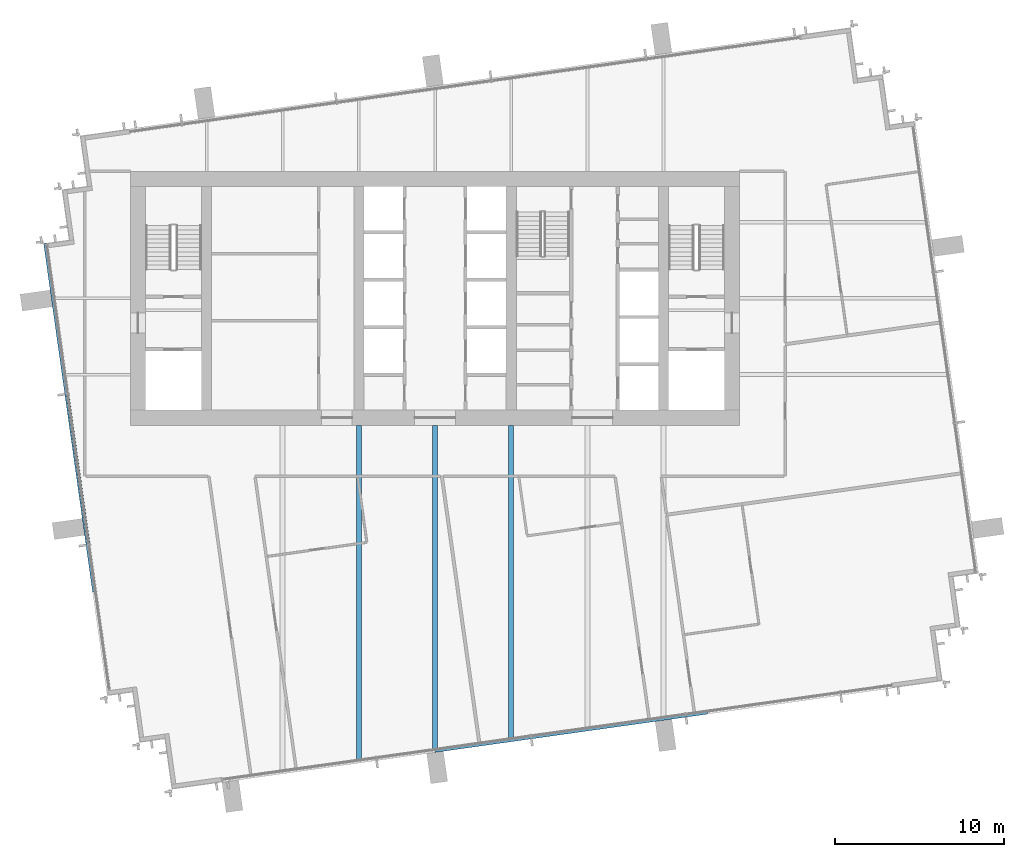
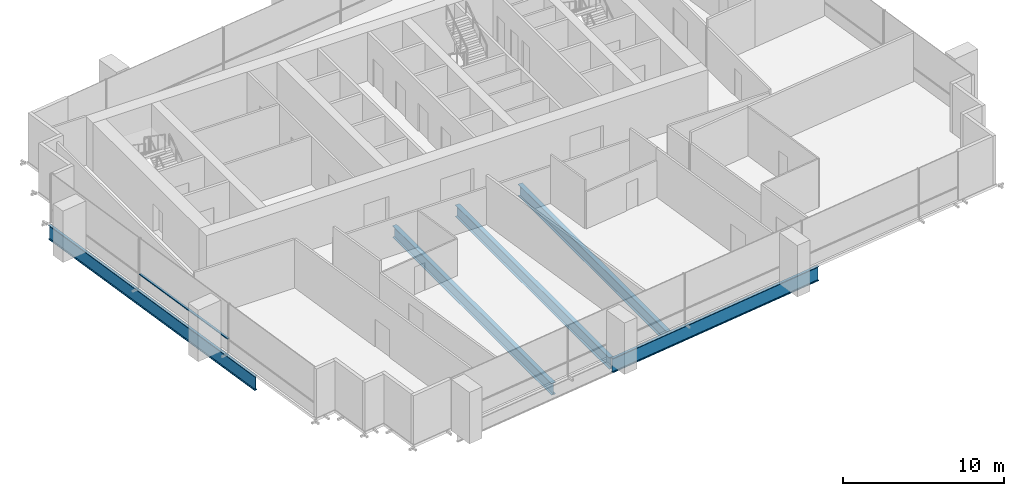
# One storey, part 3 of 13: 5 beams, 1 member, 1 element without a shape of its own.
"""IFC4 building model written with IfcOpenShell, lengths in metres."""

from ifc_helpers import new_model, si_unit, direction, frame, origin, origin_2d, place, context, subcontext, project, spatial, rectangle, i_section, extrude, material, layer, layer_set, material_profile, profile_set, type_object, element, aggregate, save


model = new_model("IFC4")

# Units and contexts
model_context = context("Model", 3, precision=1e-05, world=origin(), true_north=direction((0.0, 1.0)))
body_context = subcontext(model_context, "Body", "Model", "MODEL_VIEW")
ifc_project = project(units=[si_unit("LENGTHUNIT", "METRE"), si_unit("AREAUNIT", "SQUARE_METRE"), si_unit("VOLUMEUNIT", "CUBIC_METRE"), si_unit("PLANEANGLEUNIT", "RADIAN"), si_unit("MASSUNIT", "GRAM", prefix="KILO")], contexts=[model_context])

# Site, building, storey
site_placement = place(None, origin())
site = spatial("IfcSite", under=ifc_project, at=site_placement, CompositionType="ELEMENT")
building_placement = place(site_placement, origin())
building = spatial("IfcBuilding", under=site, at=building_placement, Name="Rattan Terrace Tower", CompositionType="ELEMENT")
storey_placement = place(building_placement, frame((0.0, 0.0, 240.800048828125)))
storey = spatial("IfcBuildingStorey", under=building, at=storey_placement, Name="L55", CompositionType="ELEMENT", Elevation=240.800048828125)

# Beams
ifc_material_1 = material(Name="Steel S460", Category="steel")
ifc_material_profile_1 = material_profile(ifc_material_1, i_section(OverallWidth=0.179931640625, OverallDepth=1.10009765625, WebThickness=0.01611328125, FlangeThickness=0.050048828125, at=origin_2d()), Name="PG 1100x180-16-50")
ifc_profile_set_1 = profile_set([ifc_material_profile_1], Name="Steel S460")
beam_type_1 = type_object("IfcBeamType", Name="Frame edge girder PG 1100x180-16-50", PredefinedType="SPANDREL", material=ifc_profile_set_1)
beam_1_placement = place(storey_placement, frame((16.0859375, -24.472900390625, -0.75), z_axis=(-0.990262693422, -0.139211342989, 0.0), x_axis=(0.139211342989, -0.990262693422, 0.0)))
element("IfcBeam", 1, at=beam_1_placement, inside=storey, type_object=beam_type_1, Name="gdr-L55-002", PredefinedType="SPANDREL", context=body_context, shape_type="SweptSolid", body=[
    extrude(i_section(OverallWidth=0.179931640625, OverallDepth=1.10009765625, WebThickness=0.01611328125, FlangeThickness=0.050048828125, at=origin_2d()), origin(), (0.0, 0.0, 1.0), 16.257080078125),
])
beam_2_placement = place(storey_placement, frame((-20.14111328125, -17.347900390625, -0.75), z_axis=(-0.139141602152, 0.9902724951, 0.0), x_axis=(-0.9902724951, -0.139141602152, 0.0)))
element("IfcBeam", 2, at=beam_2_placement, inside=storey, type_object=beam_type_1, Name="gdr-L55-003", PredefinedType="SPANDREL", context=body_context, shape_type="SweptSolid", body=[
    extrude(i_section(OverallWidth=0.179931640625, OverallDepth=1.10009765625, WebThickness=0.01611328125, FlangeThickness=0.050048828125, at=origin_2d()), origin(), (0.0, 0.0, 1.0), 20.813232421875),
])
ifc_material_2 = material(Name="Steel S355", Category="steel")
ifc_material_profile_2 = material_profile(ifc_material_2, i_section(OverallWidth=0.300048828125, OverallDepth=0.89990234375, WebThickness=0.0185546875, FlangeThickness=0.034912109375, FilletRadius=0.030029296875, at=origin_2d()), Name="HE 900 B")
ifc_profile_set_2 = profile_set([ifc_material_profile_2], Name="Steel S355")
beam_type_2 = type_object("IfcBeamType", Name="Frame floor beam HE 900 B", PredefinedType="JOIST", material=ifc_profile_set_2)
beam_3_placement = place(storey_placement, frame((4.5, -25.989990234375, -0.650146484375), z_axis=(0.0, 1.0, 0.0), x_axis=(-1.0, 0.0, 0.0)))
element("IfcBeam", 3, at=beam_3_placement, inside=storey, type_object=beam_type_2, Name="bm-L55-006", PredefinedType="JOIST", context=body_context, shape_type="SweptSolid", body=[
    extrude(i_section(OverallWidth=0.300048828125, OverallDepth=0.89990234375, WebThickness=0.0185546875, FlangeThickness=0.034912109375, FilletRadius=0.030029296875, at=origin_2d()), origin(), (0.0, 0.0, 1.0), 18.489990234375),
])
ifc_material_3 = material(Name="Steel S460", Category="steel")
ifc_material_profile_3 = material_profile(ifc_material_3, i_section(OverallWidth=0.300048828125, OverallDepth=0.89990234375, WebThickness=0.013916015625, FlangeThickness=0.035888671875, at=origin_2d()), Name="PG 900x300-14-36")
ifc_profile_set_3 = profile_set([ifc_material_profile_3], Name="Steel S460")
beam_type_3 = type_object("IfcBeamType", Name="Frame floor beam PG 900x300-14-36", PredefinedType="JOIST", material=ifc_profile_set_3)
beam_4_placement = place(storey_placement, frame((-4.5, -27.2548828125, -0.650146484375), z_axis=(0.0, 1.0, 0.0), x_axis=(-1.0, 0.0, 0.0)))
element("IfcBeam", 4, at=beam_4_placement, inside=storey, type_object=beam_type_3, Name="bm-L55-004", PredefinedType="JOIST", context=body_context, shape_type="SweptSolid", body=[
    extrude(i_section(OverallWidth=0.300048828125, OverallDepth=0.89990234375, WebThickness=0.013916015625, FlangeThickness=0.035888671875, at=origin_2d()), origin(), (0.0, 0.0, 1.0), 19.7548828125),
])
beam_5_placement = place(storey_placement, frame((0.0, -26.6220703125, -0.650146484375), z_axis=(0.0, 1.0, 0.0), x_axis=(-1.0, 0.0, 0.0)))
element("IfcBeam", 5, at=beam_5_placement, inside=storey, type_object=beam_type_3, Name="bm-L55-005", PredefinedType="JOIST", context=body_context, shape_type="SweptSolid", body=[
    extrude(i_section(OverallWidth=0.300048828125, OverallDepth=0.89990234375, WebThickness=0.013916015625, FlangeThickness=0.035888671875, at=origin_2d()), origin(), (0.0, 0.0, 1.0), 19.1220703125),
])

# Curtain wall, member
ifc_material_4 = material(Name="Aluminium and laminated glass", Category="aluminium")
ifc_layer = layer(ifc_material_4, 0.199951171875)
ifc_layer_set = layer_set([ifc_layer], Name="High-Zone Unitised Curtain Wall")
curtain_wall_type = type_object("IfcCurtainWallType", Name="High-Zone Unitised Curtain Wall", PredefinedType="NOTDEFINED", material=ifc_layer_set)
curtain_wall_placement = place(storey_placement, origin())
curtain_wall = element("IfcCurtainWall", 6, at=curtain_wall_placement, inside=storey, type_object=curtain_wall_type, Name="High-zone curtain wall L55-3", PredefinedType="NOTDEFINED")
ifc_material_5 = material(Name="Aluminium", Category="aluminium")
ifc_material_profile_4 = material_profile(ifc_material_5, rectangle(XDim=0.159912109375, YDim=0.070068359375, at=origin_2d()), Name="Aluminium 160x70")
ifc_profile_set_4 = profile_set([ifc_material_profile_4], Name="Aluminium")
member_type = type_object("IfcMemberType", Name="High-Zone CW Transom 160x70", PredefinedType="USERDEFINED", material=ifc_profile_set_4)
member_placement = place(storey_placement, frame((-21.7001953125, -5.67333984375, 1.0), z_axis=(0.139185713085, -0.990266296141, 0.0), x_axis=(0.990266296141, 0.139185713085, 0.0)))
member = element("IfcMember", 7, at=member_placement, type_object=member_type, Name="Transom cwl-L55-003.2", ObjectType="TRANSOM", PredefinedType="USERDEFINED", context=body_context, shape_type="SweptSolid", body=[
    extrude(rectangle(XDim=0.159912109375, YDim=0.070068359375, at=origin_2d()), origin(), (0.0, 0.0, 1.0), 8.929931640625),
])
aggregate(curtain_wall, [member])

save(model, "model.ifc")
